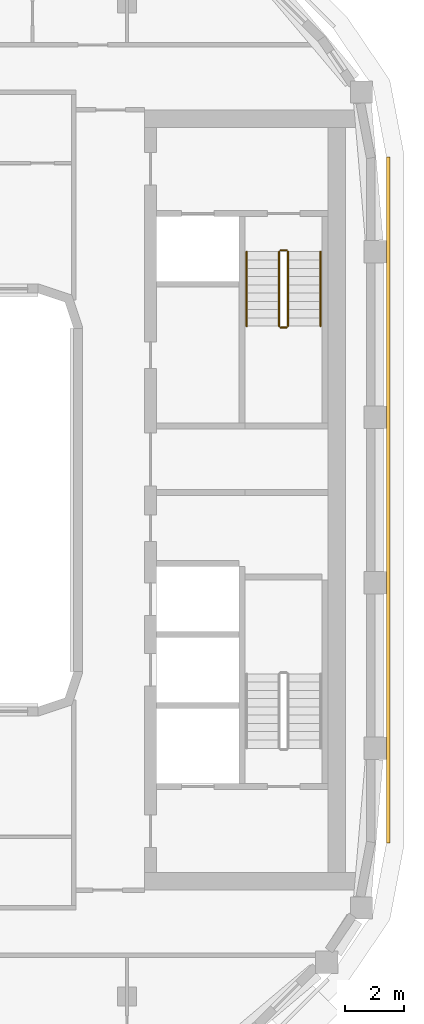
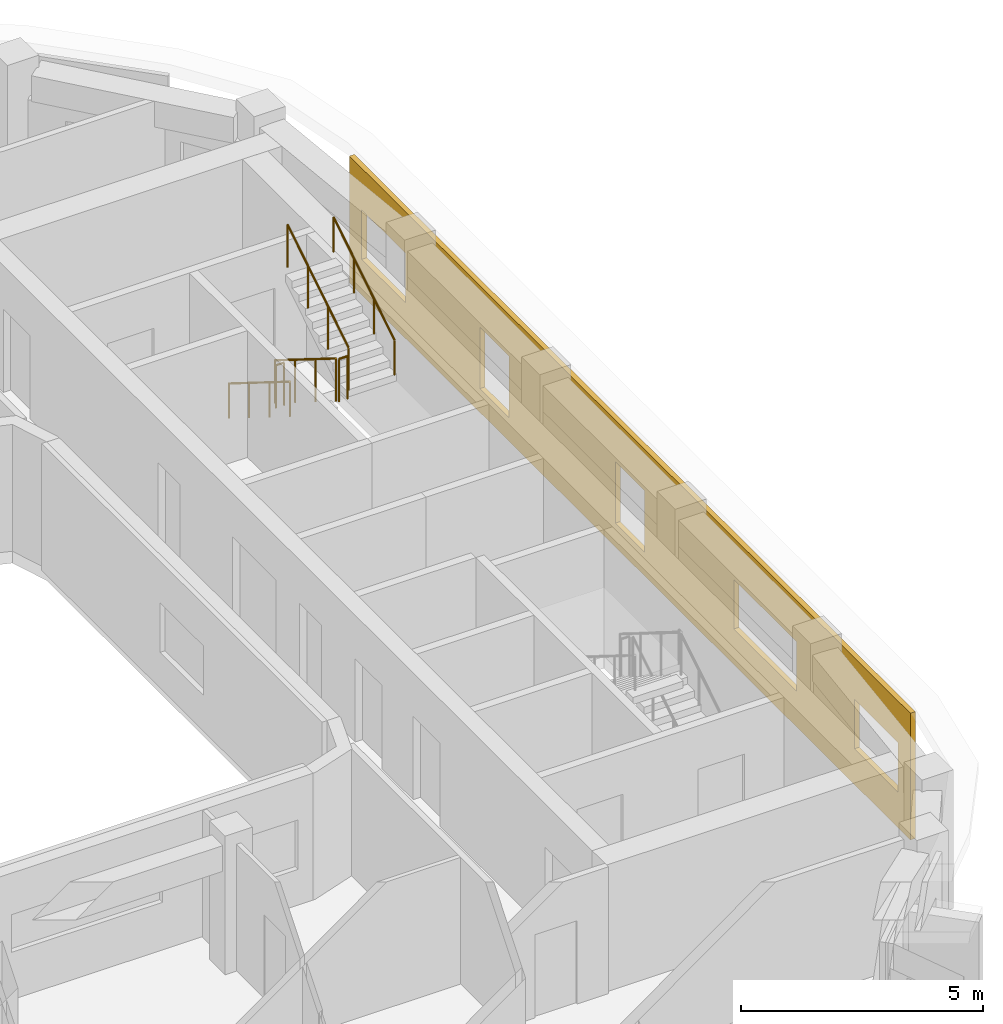
# One storey, part 15 of 16: 6 railings, 1 covering.
"""IFC4 building model written with IfcOpenShell, lengths in metres."""

from ifc_helpers import new_model, si_unit, direction, frame, origin, origin_2d, place, context, subcontext, project, spatial, polyline, circle, outline, extrude, material, layer, layer_set, type_object, element, save


model = new_model("IFC4")

# Units and contexts
model_context = context("Model", 3, precision=1e-05, world=origin(), true_north=direction((0.0, 1.0)))
body_context = subcontext(model_context, "Body", "Model", "MODEL_VIEW")
ifc_project = project(units=[si_unit("LENGTHUNIT", "METRE"), si_unit("AREAUNIT", "SQUARE_METRE"), si_unit("VOLUMEUNIT", "CUBIC_METRE"), si_unit("PLANEANGLEUNIT", "RADIAN"), si_unit("MASSUNIT", "GRAM", prefix="KILO")], contexts=[model_context])

# Site, building, storey
site_placement = place(None, origin())
site = spatial("IfcSite", under=ifc_project, at=site_placement, CompositionType="ELEMENT")
building_placement = place(site_placement, origin())
building = spatial("IfcBuilding", under=site, at=building_placement, Name="Kiln Ring Residences", CompositionType="ELEMENT")
storey_placement = place(building_placement, frame((0.0, 0.0, 269.699951171875)))
storey = spatial("IfcBuildingStorey", under=building, at=storey_placement, Name="L70", CompositionType="ELEMENT", Elevation=269.699951171875)

# Railings
ifc_material_1 = material(Name="Stainless steel", Category="steel")
railing_type_1 = type_object("IfcRailingType", Name="CORE-STAIR-GUARD", PredefinedType="GUARDRAIL", material=ifc_material_1)
railing_1_placement = place(storey_placement, frame((21.949951171875, 8.39990234375, 0.175048828125)))
element("IfcRailing", 1, at=railing_1_placement, inside=storey, type_object=railing_type_1, Name="L70 E-STN stair guard 1", PredefinedType="GUARDRAIL", context=body_context, shape_type="SweptSolid", body=[
    extrude(circle(Radius=0.02392578125, at=origin_2d()), frame((0.0, 0.0, 1.076171875), z_axis=(0.0, -0.848007534815, 0.529984170421), x_axis=(1.0, 0.0, 0.0)), (0.0, 0.0, 1.0), 2.9716796875),
    extrude(circle(Radius=0.02099609375, at=origin_2d()), origin(), (0.0, 0.0, 1.0), 1.052001953125),
    extrude(circle(Radius=0.02099609375, at=origin_2d()), frame((0.0, -0.840087890625, 0.52490234375)), (0.0, 0.0, 1.0), 1.052001953125),
    extrude(circle(Radius=0.02099609375, at=origin_2d()), frame((0.0, -1.679931640625, 1.050048828125)), (0.0, 0.0, 1.0), 1.052001953125),
    extrude(circle(Radius=0.02099609375, at=origin_2d()), frame((0.0, -2.52001953125, 1.574951171875)), (0.0, 0.0, 1.0), 1.052001953125),
])
railing_2_placement = place(storey_placement, frame((22.0, 5.830078125, 1.75)))
element("IfcRailing", 2, at=railing_2_placement, inside=storey, type_object=railing_type_1, Name="L70 E-STN stair guard 2", PredefinedType="GUARDRAIL", context=body_context, shape_type="SweptSolid", body=[
    extrude(circle(Radius=0.02392578125, at=origin_2d()), frame((0.0, 0.0, 1.076171875), z_axis=(1.0, 0.0, 0.0), x_axis=(0.0, 1.0, 0.0)), (0.0, 0.0, 1.0), 0.199951171875),
    extrude(circle(Radius=0.02099609375, at=origin_2d()), origin(), (0.0, 0.0, 1.0), 1.052001953125),
    extrude(circle(Radius=0.02099609375, at=origin_2d()), frame((0.199951171875, 0.0, 0.0)), (0.0, 0.0, 1.0), 1.052001953125),
])
railing_3_placement = place(storey_placement, frame((22.25, 5.8798828125, 1.925048828125)))
element("IfcRailing", 3, at=railing_3_placement, inside=storey, type_object=railing_type_1, Name="L70 E-STN stair guard 3", PredefinedType="GUARDRAIL", context=body_context, shape_type="SweptSolid", body=[
    extrude(circle(Radius=0.02392578125, at=origin_2d()), frame((0.0, 0.0, 1.076171875), z_axis=(0.0, 0.848007534815, 0.529984170421), x_axis=(-1.0, 0.0, 0.0)), (0.0, 0.0, 1.0), 2.9716796875),
    extrude(circle(Radius=0.02099609375, at=origin_2d()), origin(), (0.0, 0.0, 1.0), 1.052001953125),
    extrude(circle(Radius=0.02099609375, at=origin_2d()), frame((0.0, 0.840087890625, 0.52490234375)), (0.0, 0.0, 1.0), 1.052001953125),
    extrude(circle(Radius=0.02099609375, at=origin_2d()), frame((0.0, 1.679931640625, 1.050048828125)), (0.0, 0.0, 1.0), 1.052001953125),
    extrude(circle(Radius=0.02099609375, at=origin_2d()), frame((0.0, 2.52001953125, 1.574951171875)), (0.0, 0.0, 1.0), 1.052001953125),
])
railing_4_placement = place(storey_placement, frame((22.0, 8.449951171875, 0.0)))
element("IfcRailing", 4, at=railing_4_placement, inside=storey, type_object=railing_type_1, Name="L70 E-STN stair guard 4", PredefinedType="GUARDRAIL", context=body_context, shape_type="SweptSolid", body=[
    extrude(circle(Radius=0.02392578125, at=origin_2d()), frame((0.0, 0.0, 1.076171875), z_axis=(1.0, 0.0, 0.0), x_axis=(0.0, 1.0, 0.0)), (0.0, 0.0, 1.0), 0.199951171875),
    extrude(circle(Radius=0.02099609375, at=origin_2d()), origin(), (0.0, 0.0, 1.0), 1.052001953125),
    extrude(circle(Radius=0.02099609375, at=origin_2d()), frame((0.199951171875, 0.0, 0.0)), (0.0, 0.0, 1.0), 1.052001953125),
])
ifc_material_2 = material(Name="Stainless steel", Category="steel")
railing_type_2 = type_object("IfcRailingType", Name="CORE-STAIR-HANDRAIL", PredefinedType="HANDRAIL", material=ifc_material_2)
railing_5_placement = place(storey_placement, frame((20.85009765625, 8.39990234375, 0.175048828125)))
element("IfcRailing", 5, at=railing_5_placement, inside=storey, type_object=railing_type_2, Name="L70 E-STN stair handrail 1", PredefinedType="HANDRAIL", context=body_context, shape_type="SweptSolid", body=[
    extrude(circle(Radius=0.02392578125, at=origin_2d()), frame((0.0, 0.0, 0.8759765625), z_axis=(0.0, -0.848007534815, 0.529984170421), x_axis=(1.0, 0.0, 0.0)), (0.0, 0.0, 1.0), 2.9716796875),
    extrude(circle(Radius=0.02099609375, at=origin_2d()), origin(), (0.0, 0.0, 1.0), 0.851806640625),
    extrude(circle(Radius=0.02099609375, at=origin_2d()), frame((0.0, -0.840087890625, 0.52490234375)), (0.0, 0.0, 1.0), 0.851806640625),
    extrude(circle(Radius=0.02099609375, at=origin_2d()), frame((0.0, -1.679931640625, 1.050048828125)), (0.0, 0.0, 1.0), 0.851806640625),
    extrude(circle(Radius=0.02099609375, at=origin_2d()), frame((0.0, -2.52001953125, 1.574951171875)), (0.0, 0.0, 1.0), 0.851806640625),
])
railing_6_placement = place(storey_placement, frame((23.35009765625, 5.8798828125, 1.925048828125)))
element("IfcRailing", 6, at=railing_6_placement, inside=storey, type_object=railing_type_2, Name="L70 E-STN stair handrail 2", PredefinedType="HANDRAIL", context=body_context, shape_type="SweptSolid", body=[
    extrude(circle(Radius=0.02392578125, at=origin_2d()), frame((0.0, 0.0, 0.8759765625), z_axis=(0.0, 0.848007534815, 0.529984170421), x_axis=(-1.0, 0.0, 0.0)), (0.0, 0.0, 1.0), 2.9716796875),
    extrude(circle(Radius=0.02099609375, at=origin_2d()), origin(), (0.0, 0.0, 1.0), 0.851806640625),
    extrude(circle(Radius=0.02099609375, at=origin_2d()), frame((0.0, 0.840087890625, 0.52490234375)), (0.0, 0.0, 1.0), 0.851806640625),
    extrude(circle(Radius=0.02099609375, at=origin_2d()), frame((0.0, 1.679931640625, 1.050048828125)), (0.0, 0.0, 1.0), 0.851806640625),
    extrude(circle(Radius=0.02099609375, at=origin_2d()), frame((0.0, 2.52001953125, 1.574951171875)), (0.0, 0.0, 1.0), 0.851806640625),
])

# Covering
ifc_material_3 = material(Name="Brick masonry, dark clay brick", Category="masonry")
ifc_layer = layer(ifc_material_3, 0.1201171875)
ifc_layer_set = layer_set([ifc_layer], Name="RAINSCREEN PANEL 120")
covering_type = type_object("IfcCoveringType", Name="RAINSCREEN PANEL 120", PredefinedType="CLADDING", material=ifc_layer_set)
covering_placement = place(storey_placement, frame((25.635009765625, -11.60009765625, 0.0), z_axis=(0.0, 0.0, 1.0), x_axis=(0.0, 1.0, 0.0)))
element("IfcCovering", 7, at=covering_placement, inside=storey, type_object=covering_type, Name="RAINSCREEN L70", PredefinedType="CLADDING", context=body_context, shape_type="SweptSolid", body=[
    extrude(outline(polyline([(0.0, 0.0), (23.199951171875, 0.0), (23.199951171875, 3.199951171875), (0.0, 3.199951171875), (0.0, 0.0)]), holes=[polyline([(12.199951171875, 0.60009765625), (12.199951171875, 2.150146484375), (11.0, 2.150146484375), (11.0, 0.60009765625), (12.199951171875, 0.60009765625)]), polyline([(17.800048828125, 0.60009765625), (17.800048828125, 2.150146484375), (16.60009765625, 2.150146484375), (16.60009765625, 0.60009765625), (17.800048828125, 0.60009765625)]), polyline([(2.3125, 0.900146484375), (2.3125, 2.150146484375), (0.512451171875, 2.150146484375), (0.512451171875, 0.900146484375), (2.3125, 0.900146484375)]), polyline([(4.699951171875, 0.900146484375), (7.300048828125, 0.900146484375), (7.300048828125, 2.150146484375), (4.699951171875, 2.150146484375), (4.699951171875, 0.900146484375)]), polyline([(20.887451171875, 0.900146484375), (22.6875, 0.900146484375), (22.6875, 2.150146484375), (20.887451171875, 2.150146484375), (20.887451171875, 0.900146484375)])]), frame((0.0, 0.06005859375, 0.0), z_axis=(0.0, -1.0, 0.0), x_axis=(1.0, 0.0, 0.0)), (0.0, 0.0, 1.0), 0.1201171875),
])

save(model, "model.ifc")
